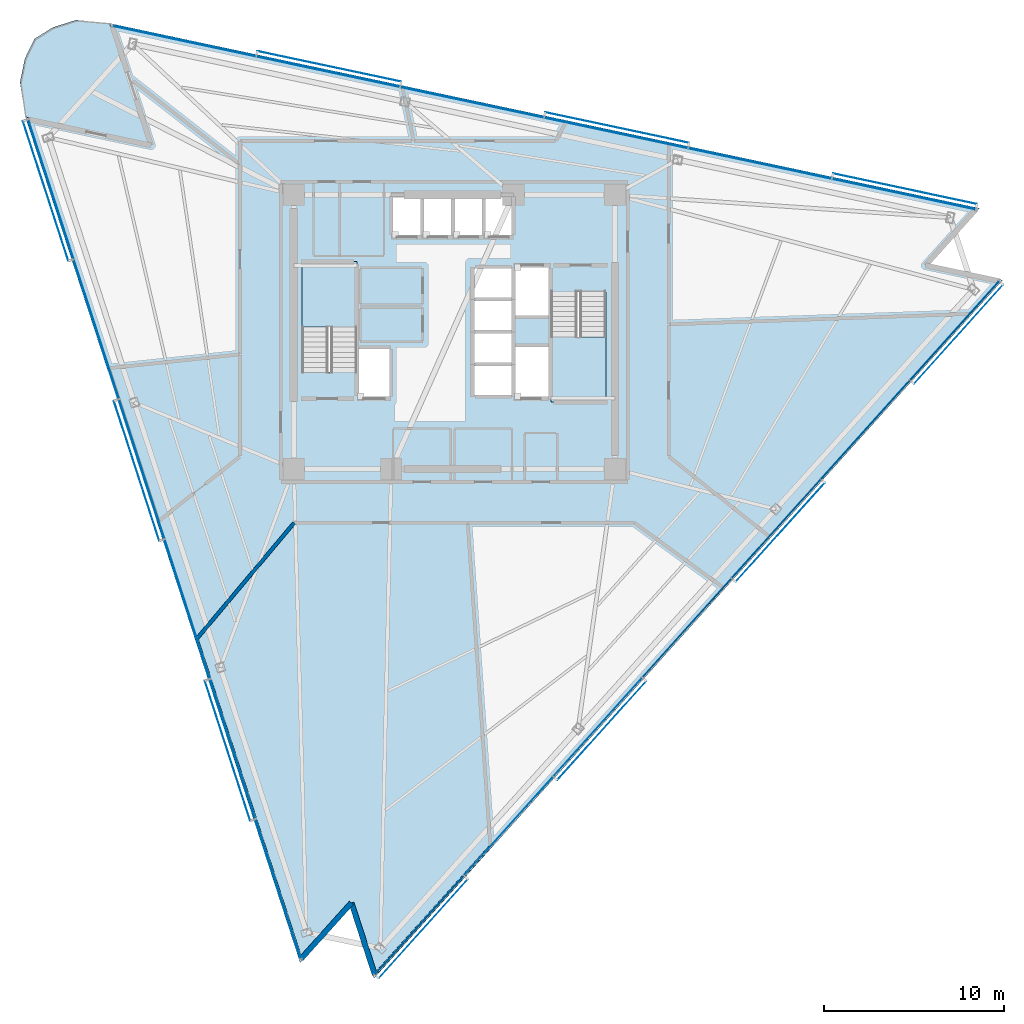
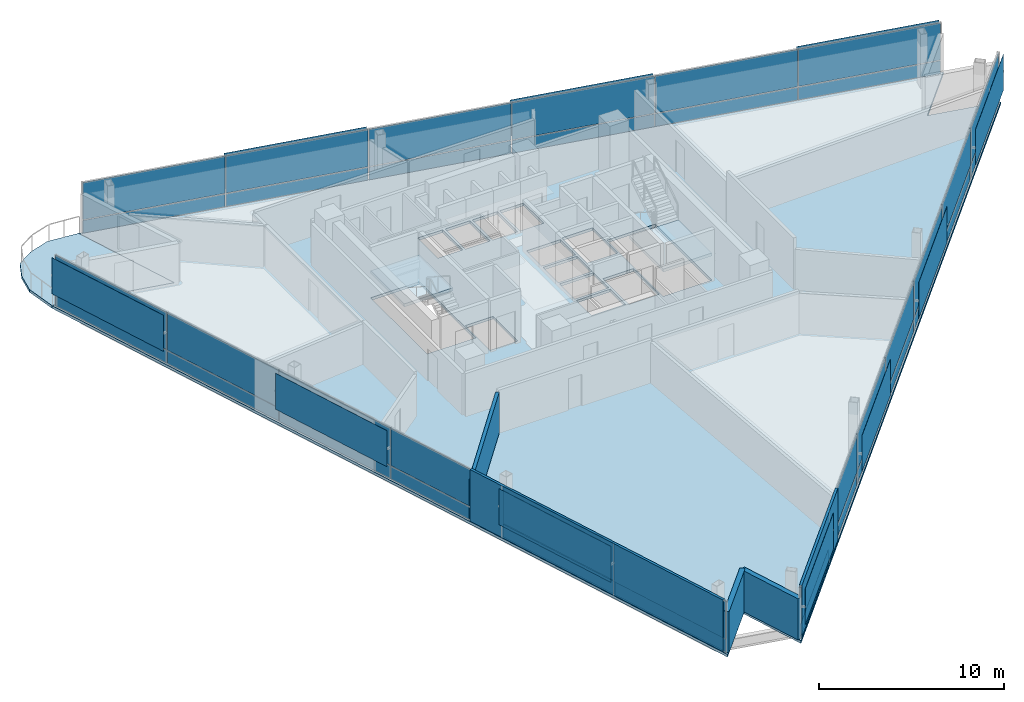
# One storey, part 9 of 17: 48 plates, 5 walls, 4 slabs, 5 elements without a shape of their own.
"""IFC4 building model written with IfcOpenShell, lengths in metres."""

from ifc_helpers import new_model, si_unit, direction, frame, frame_2d, origin, origin_2d, place, context, subcontext, project, spatial, polyline, rectangle, outline, extrude, material, layer, layer_set, type_object, element, aggregate, save


model = new_model("IFC4")

# Units and contexts
model_context = context("Model", 3, precision=1e-05, world=origin(), true_north=direction((0.0, 1.0)))
body_context = subcontext(model_context, "Body", "Model", "MODEL_VIEW")
ifc_project = project(units=[si_unit("LENGTHUNIT", "METRE"), si_unit("AREAUNIT", "SQUARE_METRE"), si_unit("VOLUMEUNIT", "CUBIC_METRE"), si_unit("PLANEANGLEUNIT", "RADIAN"), si_unit("MASSUNIT", "GRAM", prefix="KILO")], contexts=[model_context])

# Site, building, storey
site_placement = place(None, origin())
site = spatial("IfcSite", under=ifc_project, at=site_placement, CompositionType="ELEMENT")
building_placement = place(site_placement, origin())
building = spatial("IfcBuilding", under=site, at=building_placement, Name="Tharavind Bronze Gate", CompositionType="ELEMENT")
storey_placement = place(building_placement, frame((0.0, 0.0, 204.050048828125)))
storey = spatial("IfcBuildingStorey", under=building, at=storey_placement, Name="L52", CompositionType="ELEMENT", Elevation=204.050048828125)

# Plates
ifc_material_1 = material(Name="Perforated Bronze Alloy", Category="bronze")
ifc_layer_1 = layer(ifc_material_1, 0.011962890625)
ifc_layer_set_1 = layer_set([ifc_layer_1], Name="Perforated Bronze Alloy")
plate_type_1 = type_object("IfcPlateType", Name="BRONZE PERFORATED SOLAR SCREEN", PredefinedType="USERDEFINED", material=ifc_layer_set_1)
for number, where, z_axis, x_axis, name in (
    (1, (-22.650634765625, 7.81103515625, 0.96630859375), (0.0, 0.0, 1.0), (0.309016994375, -0.951056516295, 0.0), "CW-L52-S1 perforated bronze solar screen 1"),
    (2, (-17.610107421875, -7.701904296875, 0.96630859375), (0.0, 0.0, 1.0), (0.309016994375, -0.951056516295, 0.0), "CW-L52-S1 perforated bronze solar screen 3"),
    (3, (-12.569580078125, -23.215087890625, 0.96630859375), (0.0, 0.0, 1.0), (0.309016994375, -0.951056516295, 0.0), "CW-L52-S1 perforated bronze solar screen 5"),
):
    element("IfcPlate", number, at=place(storey_placement, frame(where, z_axis=z_axis, x_axis=x_axis)), inside=storey, type_object=plate_type_1, Name=name, ObjectType="SCREEN", PredefinedType="USERDEFINED", context=body_context, shape_type="SweptSolid", body=[
        extrude(rectangle(XDim=8.1357421875, YDim=0.011962890625, at=origin_2d()), origin(), (0.0, 0.0, 1.0), 2.386962890625),
    ])
for number, where, z_axis, x_axis, name in (
    (4, (-1.720703125, -33.081298828125, 0.96630859375), (0.0, 0.0, 1.0), (0.669130606359, 0.743144825477, 0.0), "CW-L52-S2 perforated bronze solar screen 1"),
    (5, (8.168212890625, -22.098388671875, 0.96630859375), (0.0, 0.0, 1.0), (0.669130606359, 0.743144825477, 0.0), "CW-L52-S2 perforated bronze solar screen 3"),
    (6, (18.057373046875, -11.115478515625, 0.96630859375), (0.0, 0.0, 1.0), (0.669130606359, 0.743144825477, 0.0), "CW-L52-S2 perforated bronze solar screen 5"),
    (7, (27.9462890625, -0.132568359375, 0.96630859375), (0.0, 0.0, 1.0), (0.669130606359, 0.743144825477, 0.0), "CW-L52-S2 perforated bronze solar screen 7"),
):
    element("IfcPlate", number, at=place(storey_placement, frame(where, z_axis=z_axis, x_axis=x_axis)), inside=storey, type_object=plate_type_1, Name=name, ObjectType="SCREEN", PredefinedType="USERDEFINED", context=body_context, shape_type="SweptSolid", body=[
        extrude(rectangle(XDim=7.369384765625, YDim=0.011962890625, at=origin_2d()), origin(), (0.0, 0.0, 1.0), 2.386962890625),
    ])
for number, where, z_axis, x_axis, name in (
    (8, (24.977783203125, 7.929931640625, 0.96630859375), (0.0, 0.0, 1.0), (-0.978147600734, 0.207911690818, 0.0), "CW-L52-S3 perforated bronze solar screen 1"),
    (9, (9.022705078125, 11.3212890625, 0.96630859375), (0.0, 0.0, 1.0), (-0.978147600734, 0.207911690818, 0.0), "CW-L52-S3 perforated bronze solar screen 3"),
    (10, (-6.93212890625, 14.712646484375, 0.96630859375), (0.0, 0.0, 1.0), (-0.978147600734, 0.207911690818, 0.0), "CW-L52-S3 perforated bronze solar screen 5"),
):
    element("IfcPlate", number, at=place(storey_placement, frame(where, z_axis=z_axis, x_axis=x_axis)), inside=storey, type_object=plate_type_1, Name=name, ObjectType="SCREEN", PredefinedType="USERDEFINED", context=body_context, shape_type="SweptSolid", body=[
        extrude(rectangle(XDim=8.1357421875, YDim=0.011962890625, at=origin_2d()), origin(), (0.0, 0.0, 1.0), 2.386962890625),
    ])

# Curtain wall, plates
ifc_material_2 = material(Name="Anodised Bronze Aluminium", Category="aluminium")
ifc_layer_2 = layer(ifc_material_2, 0.219970703125)
ifc_layer_set_2 = layer_set([ifc_layer_2], Name="Anodised Bronze Aluminium")
curtain_wall_type = type_object("IfcCurtainWallType", Name="UNITISED CURTAIN WALL MID OFFICE", PredefinedType="USERDEFINED", material=ifc_layer_set_2)
curtain_wall_1_placement = place(storey_placement, origin())
curtain_wall_1 = element("IfcCurtainWall", 11, at=curtain_wall_1_placement, inside=storey, type_object=curtain_wall_type, Name="L52 unitised curtain wall mid office CW-L52-S1", ObjectType="UNITISED CURTAIN WALL", PredefinedType="USERDEFINED")
ifc_material_3 = material(Name="Patinated Bronze Alloy Sheet", Category="bronze")
ifc_layer_3 = layer(ifc_material_3, 0.01611328125)
ifc_layer_set_3 = layer_set([ifc_layer_3], Name="Patinated Bronze Alloy Sheet")
plate_type_2 = type_object("IfcPlateType", Name="BRONZE SPANDREL CLADDING PANEL 16", PredefinedType="CURTAIN_PANEL", material=ifc_layer_set_3)
plate_1_placement = place(storey_placement, frame((-22.3701171875, 7.902099609375, 0.0263671875), z_axis=(0.0, 0.0, 1.0), x_axis=(0.309016994375, -0.951056516295, 0.0)))
plate_1 = element("IfcPlate", 12, at=plate_1_placement, type_object=plate_type_2, Name="CW-L52-S1 bronze spandrel panel 1", PredefinedType="CURTAIN_PANEL", context=body_context, shape_type="SweptSolid", body=[
    extrude(rectangle(XDim=8.102783203125, YDim=0.01611328125, at=origin_2d()), origin(), (0.0, 0.0, 1.0), 0.846923828125),
])
plate_2_placement = place(storey_placement, frame((-19.849853515625, 0.145751953125, 0.0263671875), z_axis=(0.0, 0.0, 1.0), x_axis=(0.309016994375, -0.951056516295, 0.0)))
plate_2 = element("IfcPlate", 13, at=plate_2_placement, type_object=plate_type_2, Name="CW-L52-S1 bronze spandrel panel 2", PredefinedType="CURTAIN_PANEL", context=body_context, shape_type="SweptSolid", body=[
    extrude(rectangle(XDim=8.102783203125, YDim=0.01611328125, at=origin_2d()), origin(), (0.0, 0.0, 1.0), 0.846923828125),
])
plate_3_placement = place(storey_placement, frame((-17.32958984375, -7.61083984375, 0.0263671875), z_axis=(0.0, 0.0, 1.0), x_axis=(0.309016994375, -0.951056516295, 0.0)))
plate_3 = element("IfcPlate", 14, at=plate_3_placement, type_object=plate_type_2, Name="CW-L52-S1 bronze spandrel panel 3", PredefinedType="CURTAIN_PANEL", context=body_context, shape_type="SweptSolid", body=[
    extrude(rectangle(XDim=8.102783203125, YDim=0.01611328125, at=origin_2d()), origin(), (0.0, 0.0, 1.0), 0.846923828125),
])
plate_4_placement = place(storey_placement, frame((-14.809326171875, -15.367431640625, 0.0263671875), z_axis=(0.0, 0.0, 1.0), x_axis=(0.309016994375, -0.951056516295, 0.0)))
plate_4 = element("IfcPlate", 15, at=plate_4_placement, type_object=plate_type_2, Name="CW-L52-S1 bronze spandrel panel 4", PredefinedType="CURTAIN_PANEL", context=body_context, shape_type="SweptSolid", body=[
    extrude(rectangle(XDim=8.102783203125, YDim=0.01611328125, at=origin_2d()), origin(), (0.0, 0.0, 1.0), 0.846923828125),
])
plate_5_placement = place(storey_placement, frame((-12.2890625, -23.123779296875, 0.0263671875), z_axis=(0.0, 0.0, 1.0), x_axis=(0.309016994375, -0.951056516295, 0.0)))
plate_5 = element("IfcPlate", 16, at=plate_5_placement, type_object=plate_type_2, Name="CW-L52-S1 bronze spandrel panel 5", PredefinedType="CURTAIN_PANEL", context=body_context, shape_type="SweptSolid", body=[
    extrude(rectangle(XDim=8.102783203125, YDim=0.01611328125, at=origin_2d()), origin(), (0.0, 0.0, 1.0), 0.846923828125),
])
plate_6_placement = place(storey_placement, frame((-9.768798828125, -30.88037109375, 0.0263671875), z_axis=(0.0, 0.0, 1.0), x_axis=(0.309016994375, -0.951056516295, 0.0)))
plate_6 = element("IfcPlate", 17, at=plate_6_placement, type_object=plate_type_2, Name="CW-L52-S1 bronze spandrel panel 6", PredefinedType="CURTAIN_PANEL", context=body_context, shape_type="SweptSolid", body=[
    extrude(rectangle(XDim=8.102783203125, YDim=0.01611328125, at=origin_2d()), origin(), (0.0, 0.0, 1.0), 0.846923828125),
])

curtain_wall_2_placement = place(storey_placement, origin())
curtain_wall_2 = element("IfcCurtainWall", 18, at=curtain_wall_2_placement, inside=storey, type_object=curtain_wall_type, Name="L52 unitised curtain wall mid office CW-L52-S2", ObjectType="UNITISED CURTAIN WALL", PredefinedType="USERDEFINED")
plate_7_placement = place(storey_placement, frame((-1.93994140625, -32.8837890625, 0.0263671875), z_axis=(0.0, 0.0, 1.0), x_axis=(0.669130606359, 0.743144825477, 0.0)))
plate_7 = element("IfcPlate", 19, at=plate_7_placement, type_object=plate_type_2, Name="CW-L52-S2 bronze spandrel panel 1", PredefinedType="CURTAIN_PANEL", context=body_context, shape_type="SweptSolid", body=[
    extrude(rectangle(XDim=7.33642578125, YDim=0.01611328125, at=origin_2d()), origin(), (0.0, 0.0, 1.0), 0.846923828125),
])
plate_8_placement = place(storey_placement, frame((3.004638671875, -27.392333984375, 0.0263671875), z_axis=(0.0, 0.0, 1.0), x_axis=(0.669130606359, 0.743144825477, 0.0)))
plate_8 = element("IfcPlate", 20, at=plate_8_placement, type_object=plate_type_2, Name="CW-L52-S2 bronze spandrel panel 2", PredefinedType="CURTAIN_PANEL", context=body_context, shape_type="SweptSolid", body=[
    extrude(rectangle(XDim=7.33642578125, YDim=0.01611328125, at=origin_2d()), origin(), (0.0, 0.0, 1.0), 0.846923828125),
])
plate_9_placement = place(storey_placement, frame((7.94921875, -21.90087890625, 0.0263671875), z_axis=(0.0, 0.0, 1.0), x_axis=(0.669130606359, 0.743144825477, 0.0)))
plate_9 = element("IfcPlate", 21, at=plate_9_placement, type_object=plate_type_2, Name="CW-L52-S2 bronze spandrel panel 3", PredefinedType="CURTAIN_PANEL", context=body_context, shape_type="SweptSolid", body=[
    extrude(rectangle(XDim=7.33642578125, YDim=0.01611328125, at=origin_2d()), origin(), (0.0, 0.0, 1.0), 0.846923828125),
])
plate_10_placement = place(storey_placement, frame((12.8935546875, -16.409423828125, 0.0263671875), z_axis=(0.0, 0.0, 1.0), x_axis=(0.669130606359, 0.743144825477, 0.0)))
plate_10 = element("IfcPlate", 22, at=plate_10_placement, type_object=plate_type_2, Name="CW-L52-S2 bronze spandrel panel 4", PredefinedType="CURTAIN_PANEL", context=body_context, shape_type="SweptSolid", body=[
    extrude(rectangle(XDim=7.33642578125, YDim=0.01611328125, at=origin_2d()), origin(), (0.0, 0.0, 1.0), 0.846923828125),
])
plate_11_placement = place(storey_placement, frame((17.838134765625, -10.91796875, 0.0263671875), z_axis=(0.0, 0.0, 1.0), x_axis=(0.669130606359, 0.743144825477, 0.0)))
plate_11 = element("IfcPlate", 23, at=plate_11_placement, type_object=plate_type_2, Name="CW-L52-S2 bronze spandrel panel 5", PredefinedType="CURTAIN_PANEL", context=body_context, shape_type="SweptSolid", body=[
    extrude(rectangle(XDim=7.33642578125, YDim=0.01611328125, at=origin_2d()), origin(), (0.0, 0.0, 1.0), 0.846923828125),
])
plate_12_placement = place(storey_placement, frame((22.78271484375, -5.426513671875, 0.0263671875), z_axis=(0.0, 0.0, 1.0), x_axis=(0.669130606359, 0.743144825477, 0.0)))
plate_12 = element("IfcPlate", 24, at=plate_12_placement, type_object=plate_type_2, Name="CW-L52-S2 bronze spandrel panel 6", PredefinedType="CURTAIN_PANEL", context=body_context, shape_type="SweptSolid", body=[
    extrude(rectangle(XDim=7.33642578125, YDim=0.01611328125, at=origin_2d()), origin(), (0.0, 0.0, 1.0), 0.846923828125),
])
plate_13_placement = place(storey_placement, frame((27.72705078125, 0.06494140625, 0.0263671875), z_axis=(0.0, 0.0, 1.0), x_axis=(0.669130606359, 0.743144825477, 0.0)))
plate_13 = element("IfcPlate", 25, at=plate_13_placement, type_object=plate_type_2, Name="CW-L52-S2 bronze spandrel panel 7", PredefinedType="CURTAIN_PANEL", context=body_context, shape_type="SweptSolid", body=[
    extrude(rectangle(XDim=7.33642578125, YDim=0.01611328125, at=origin_2d()), origin(), (0.0, 0.0, 1.0), 0.846923828125),
])

curtain_wall_3_placement = place(storey_placement, origin())
curtain_wall_3 = element("IfcCurtainWall", 26, at=curtain_wall_3_placement, inside=storey, type_object=curtain_wall_type, Name="L52 unitised curtain wall mid office CW-L52-S3", ObjectType="UNITISED CURTAIN WALL", PredefinedType="USERDEFINED")
plate_14_placement = place(storey_placement, frame((24.91650390625, 7.641357421875, 0.0263671875), z_axis=(0.0, 0.0, 1.0), x_axis=(-0.978147600734, 0.207911690818, 0.0)))
plate_14 = element("IfcPlate", 27, at=plate_14_placement, type_object=plate_type_2, Name="CW-L52-S3 bronze spandrel panel 1", PredefinedType="CURTAIN_PANEL", context=body_context, shape_type="SweptSolid", body=[
    extrude(rectangle(XDim=8.102783203125, YDim=0.01611328125, at=origin_2d()), origin(), (0.0, 0.0, 1.0), 0.846923828125),
])
plate_15_placement = place(storey_placement, frame((16.93896484375, 9.337158203125, 0.0263671875), z_axis=(0.0, 0.0, 1.0), x_axis=(-0.978147600734, 0.207911690818, 0.0)))
plate_15 = element("IfcPlate", 28, at=plate_15_placement, type_object=plate_type_2, Name="CW-L52-S3 bronze spandrel panel 2", PredefinedType="CURTAIN_PANEL", context=body_context, shape_type="SweptSolid", body=[
    extrude(rectangle(XDim=8.102783203125, YDim=0.01611328125, at=origin_2d()), origin(), (0.0, 0.0, 1.0), 0.846923828125),
])
plate_16_placement = place(storey_placement, frame((8.96142578125, 11.03271484375, 0.0263671875), z_axis=(0.0, 0.0, 1.0), x_axis=(-0.978147600734, 0.207911690818, 0.0)))
plate_16 = element("IfcPlate", 29, at=plate_16_placement, type_object=plate_type_2, Name="CW-L52-S3 bronze spandrel panel 3", PredefinedType="CURTAIN_PANEL", context=body_context, shape_type="SweptSolid", body=[
    extrude(rectangle(XDim=8.102783203125, YDim=0.01611328125, at=origin_2d()), origin(), (0.0, 0.0, 1.0), 0.846923828125),
])
plate_17_placement = place(storey_placement, frame((0.98388671875, 12.728515625, 0.0263671875), z_axis=(0.0, 0.0, 1.0), x_axis=(-0.978147600734, 0.207911690818, 0.0)))
plate_17 = element("IfcPlate", 30, at=plate_17_placement, type_object=plate_type_2, Name="CW-L52-S3 bronze spandrel panel 4", PredefinedType="CURTAIN_PANEL", context=body_context, shape_type="SweptSolid", body=[
    extrude(rectangle(XDim=8.102783203125, YDim=0.01611328125, at=origin_2d()), origin(), (0.0, 0.0, 1.0), 0.846923828125),
])
plate_18_placement = place(storey_placement, frame((-6.993408203125, 14.424072265625, 0.0263671875), z_axis=(0.0, 0.0, 1.0), x_axis=(-0.978147600734, 0.207911690818, 0.0)))
plate_18 = element("IfcPlate", 31, at=plate_18_placement, type_object=plate_type_2, Name="CW-L52-S3 bronze spandrel panel 5", PredefinedType="CURTAIN_PANEL", context=body_context, shape_type="SweptSolid", body=[
    extrude(rectangle(XDim=8.102783203125, YDim=0.01611328125, at=origin_2d()), origin(), (0.0, 0.0, 1.0), 0.846923828125),
])
plate_19_placement = place(storey_placement, frame((-14.970947265625, 16.119873046875, 0.0263671875), z_axis=(0.0, 0.0, 1.0), x_axis=(-0.978147600734, 0.207911690818, 0.0)))
plate_19 = element("IfcPlate", 32, at=plate_19_placement, type_object=plate_type_2, Name="CW-L52-S3 bronze spandrel panel 6", PredefinedType="CURTAIN_PANEL", context=body_context, shape_type="SweptSolid", body=[
    extrude(rectangle(XDim=8.102783203125, YDim=0.01611328125, at=origin_2d()), origin(), (0.0, 0.0, 1.0), 0.846923828125),
])

# Slab
ifc_material_4 = material(Name="Concrete C40/50", Category="concrete")
ifc_layer_4 = layer(ifc_material_4, 0.179931640625)
ifc_layer_set_4 = layer_set([ifc_layer_4], Name="Concrete C40/50")
slab_type_1 = type_object("IfcSlabType", Name="EXTERIOR BALCONY SLAB 180", PredefinedType="FLOOR", material=ifc_layer_set_4)
slab_1_placement = place(storey_placement, frame((0.0, 0.0, -0.179931640625)))
element("IfcSlab", 33, at=slab_1_placement, inside=storey, type_object=slab_type_1, Name="L52 northeast tree balcony slab", PredefinedType="FLOOR", context=body_context, shape_type="SweptSolid", body=[
    extrude(outline(polyline([(-20.960693359375, 17.28564453125), (-22.246337890625, 16.877685546875), (-23.275634765625, 16.239013671875), (-23.80322265625, 15.148681640625), (-24.074462890625, 13.82763671875), (-23.77880859375, 11.914306640625), (-16.951416015625, 10.463134765625), (-19.1083984375, 17.101318359375), (-20.960693359375, 17.28564453125)])), origin(), (0.0, 0.0, 1.0), 0.179931640625),
])

# Stair, slab
stair_type = type_object("IfcStairType", Name="CORE HALF TURN STAIR 1450", PredefinedType="HALF_TURN_STAIR", material=ifc_material_4)
stair_1_placement = place(storey_placement, origin())
stair_1 = element("IfcStair", 34, at=stair_1_placement, inside=storey, type_object=stair_type, Name="L52 Protected Exit Stair ST1", PredefinedType="HALF_TURN_STAIR")
ifc_layer_5 = layer(ifc_material_4, 0.199951171875)
ifc_layer_set_5 = layer_set([ifc_layer_5], Name="Concrete C40/50")
slab_type_2 = type_object("IfcSlabType", Name="STAIR LANDING SLAB 200", PredefinedType="LANDING", material=ifc_layer_set_5)
slab_2_placement = place(storey_placement, frame((0.0, 0.0, 1.599853515625)))
slab_2 = element("IfcSlab", 35, at=slab_2_placement, type_object=slab_type_2, Name="ST1 landing 1", PredefinedType="LANDING", context=body_context, shape_type="SweptSolid", body=[
    extrude(outline(polyline([(-5.39990234375, 0.27001953125), (-5.39990234375, 3.89990234375), (-8.449951171875, 3.89990234375), (-8.449951171875, 0.27001953125), (-5.39990234375, 0.27001953125)])), origin(), (0.0, 0.0, 1.0), 0.2001953125),
])
aggregate(stair_1, [slab_2])

stair_2_placement = place(storey_placement, origin())
stair_2 = element("IfcStair", 36, at=stair_2_placement, inside=storey, type_object=stair_type, Name="L52 Protected Exit Stair ST2", PredefinedType="HALF_TURN_STAIR")
slab_3_placement = place(storey_placement, frame((0.0, 0.0, 1.599853515625)))
slab_3 = element("IfcSlab", 37, at=slab_3_placement, type_object=slab_type_2, Name="ST2 landing 1", PredefinedType="LANDING", context=body_context, shape_type="SweptSolid", body=[
    extrude(outline(polyline([(5.35009765625, -0.27001953125), (5.35009765625, -3.89990234375), (8.39990234375, -3.89990234375), (8.39990234375, -0.27001953125), (5.35009765625, -0.27001953125)])), origin(), (0.0, 0.0, 1.0), 0.2001953125),
])
aggregate(stair_2, [slab_3])

# Slab
ifc_layer_6 = layer(ifc_material_4, 0.179931640625)
ifc_layer_set_6 = layer_set([ifc_layer_6], Name="Concrete C40/50")
slab_type_3 = type_object("IfcSlabType", Name="STRUCTURAL FLOOR SLAB 180", PredefinedType="FLOOR", material=ifc_layer_set_6)
slab_4_placement = place(storey_placement, frame((0.0, 0.0, -0.179931640625)))
element("IfcSlab", 38, at=slab_4_placement, inside=storey, type_object=slab_type_3, Name="L52 main structural floor slab", PredefinedType="FLOOR", context=body_context, shape_type="SweptSolid", body=[
    extrude(outline(polyline([(-19.1083984375, 17.101318359375), (-16.951416015625, 10.463134765625), (-23.77880859375, 11.914306640625), (-8.55029296875, -34.954345703125), (-5.748046875, -31.842041015625), (-4.453857421875, -35.8251953125), (30.3896484375, 2.872314453125), (26.293212890625, 3.7431640625), (29.095458984375, 6.85546875), (-19.1083984375, 17.101318359375)]), holes=[polyline([(-5.39990234375, -2.215087890625), (-5.39990234375, 3.89990234375), (-8.449951171875, 3.89990234375), (-8.449951171875, -2.215087890625), (-5.39990234375, -2.215087890625)]), polyline([(5.35009765625, 2.215087890625), (5.35009765625, -3.89990234375), (8.39990234375, -3.89990234375), (8.39990234375, 2.215087890625), (5.35009765625, 2.215087890625)]), polyline([(-3.419921875, 5.330078125), (-1.867431640625, 5.330078125), (-1.867431640625, 7.52001953125), (-3.419921875, 7.52001953125), (-3.419921875, 5.330078125)]), polyline([(-1.70751953125, 5.330078125), (-0.155029296875, 5.330078125), (-0.155029296875, 7.52001953125), (-1.70751953125, 7.52001953125), (-1.70751953125, 5.330078125)]), polyline([(0.0048828125, 5.330078125), (1.5576171875, 5.330078125), (1.5576171875, 7.52001953125), (0.0048828125, 7.52001953125), (0.0048828125, 5.330078125)]), polyline([(1.717529296875, 5.330078125), (3.199951171875, 5.330078125), (3.199951171875, 7.52001953125), (1.717529296875, 7.52001953125), (1.717529296875, 5.330078125)]), polyline([(1.080078125, -3.52001953125), (3.199951171875, -3.52001953125), (3.199951171875, -1.8798828125), (1.080078125, -1.8798828125), (1.080078125, -3.52001953125)]), polyline([(1.080078125, -1.719970703125), (3.199951171875, -1.719970703125), (3.199951171875, -0.080078125), (1.080078125, -0.080078125), (1.080078125, -1.719970703125)]), polyline([(1.080078125, 0.080078125), (3.199951171875, 0.080078125), (3.199951171875, 1.719970703125), (1.080078125, 1.719970703125), (1.080078125, 0.080078125)]), polyline([(1.080078125, 1.8798828125), (3.199951171875, 1.8798828125), (3.199951171875, 3.52001953125), (1.080078125, 3.52001953125), (1.080078125, 1.8798828125)]), polyline([(-5.320068359375, -3.6201171875), (-3.580078125, -3.6201171875), (-3.580078125, -0.929931640625), (-5.320068359375, -0.929931640625), (-5.320068359375, -3.6201171875)]), polyline([(3.360107421875, 0.8798828125), (5.27001953125, 0.8798828125), (5.27001953125, 3.6201171875), (3.360107421875, 3.6201171875), (3.360107421875, 0.8798828125)]), polyline([(3.360107421875, -3.6201171875), (5.27001953125, -3.6201171875), (5.27001953125, -0.830078125), (3.360107421875, -0.830078125), (3.360107421875, -3.6201171875)])]), origin(), (0.0, 0.0, 1.0), 0.179931640625),
])

# Plate
ifc_material_5 = material(Name="Triple Solar Control Glazing", Category="glass")
ifc_layer_7 = layer(ifc_material_5, 0.0439453125)
ifc_layer_set_7 = layer_set([ifc_layer_7], Name="Triple Solar Control Glazing")
plate_type_3 = type_object("IfcPlateType", Name="TRIPLE GLAZED FACADE PANEL 44", PredefinedType="CURTAIN_PANEL", material=ifc_layer_set_7)
plate_20_placement = place(storey_placement, frame((-22.3701171875, 7.902099609375, 0.92626953125), z_axis=(0.0, 0.0, 1.0), x_axis=(0.309016994375, -0.951056516295, 0.0)))
plate_20 = element("IfcPlate", 39, at=plate_20_placement, type_object=plate_type_3, Name="CW-L52-S1 vision glazing panel 1", PredefinedType="CURTAIN_PANEL", context=body_context, shape_type="SweptSolid", body=[
    extrude(rectangle(XDim=8.102783203125, YDim=0.0439453125, at=origin_2d()), origin(), (0.0, 0.0, 1.0), 2.467041015625),
])

plate_21_placement = place(storey_placement, frame((-19.849853515625, 0.145751953125, 0.92626953125), z_axis=(0.0, 0.0, 1.0), x_axis=(0.309016994375, -0.951056516295, 0.0)))
plate_21 = element("IfcPlate", 40, at=plate_21_placement, type_object=plate_type_3, Name="CW-L52-S1 vision glazing panel 2", PredefinedType="CURTAIN_PANEL", context=body_context, shape_type="SweptSolid", body=[
    extrude(rectangle(XDim=8.102783203125, YDim=0.0439453125, at=origin_2d()), origin(), (0.0, 0.0, 1.0), 2.467041015625),
])

plate_22_placement = place(storey_placement, frame((-17.32958984375, -7.61083984375, 0.92626953125), z_axis=(0.0, 0.0, 1.0), x_axis=(0.309016994375, -0.951056516295, 0.0)))
plate_22 = element("IfcPlate", 41, at=plate_22_placement, type_object=plate_type_3, Name="CW-L52-S1 vision glazing panel 3", PredefinedType="CURTAIN_PANEL", context=body_context, shape_type="SweptSolid", body=[
    extrude(rectangle(XDim=8.102783203125, YDim=0.0439453125, at=origin_2d()), origin(), (0.0, 0.0, 1.0), 2.467041015625),
])

plate_23_placement = place(storey_placement, frame((-14.809326171875, -15.367431640625, 0.92626953125), z_axis=(0.0, 0.0, 1.0), x_axis=(0.309016994375, -0.951056516295, 0.0)))
plate_23 = element("IfcPlate", 42, at=plate_23_placement, type_object=plate_type_3, Name="CW-L52-S1 vision glazing panel 4", PredefinedType="CURTAIN_PANEL", context=body_context, shape_type="SweptSolid", body=[
    extrude(rectangle(XDim=8.102783203125, YDim=0.0439453125, at=origin_2d()), origin(), (0.0, 0.0, 1.0), 2.467041015625),
])

plate_24_placement = place(storey_placement, frame((-12.2890625, -23.123779296875, 0.92626953125), z_axis=(0.0, 0.0, 1.0), x_axis=(0.309016994375, -0.951056516295, 0.0)))
plate_24 = element("IfcPlate", 43, at=plate_24_placement, type_object=plate_type_3, Name="CW-L52-S1 vision glazing panel 5", PredefinedType="CURTAIN_PANEL", context=body_context, shape_type="SweptSolid", body=[
    extrude(rectangle(XDim=8.102783203125, YDim=0.0439453125, at=origin_2d()), origin(), (0.0, 0.0, 1.0), 2.467041015625),
])

plate_25_placement = place(storey_placement, frame((-9.768798828125, -30.88037109375, 0.92626953125), z_axis=(0.0, 0.0, 1.0), x_axis=(0.309016994375, -0.951056516295, 0.0)))
plate_25 = element("IfcPlate", 44, at=plate_25_placement, type_object=plate_type_3, Name="CW-L52-S1 vision glazing panel 6", PredefinedType="CURTAIN_PANEL", context=body_context, shape_type="SweptSolid", body=[
    extrude(rectangle(XDim=8.102783203125, YDim=0.0439453125, at=origin_2d()), origin(), (0.0, 0.0, 1.0), 2.467041015625),
])

aggregate(curtain_wall_1, [plate_1, plate_20, plate_2, plate_21, plate_3, plate_22, plate_4, plate_23, plate_5, plate_24, plate_6, plate_25])

plate_26_placement = place(storey_placement, frame((-1.93994140625, -32.8837890625, 0.92626953125), z_axis=(0.0, 0.0, 1.0), x_axis=(0.669130606359, 0.743144825477, 0.0)))
plate_26 = element("IfcPlate", 45, at=plate_26_placement, type_object=plate_type_3, Name="CW-L52-S2 vision glazing panel 1", PredefinedType="CURTAIN_PANEL", context=body_context, shape_type="SweptSolid", body=[
    extrude(rectangle(XDim=7.33642578125, YDim=0.0439453125, at=origin_2d()), origin(), (0.0, 0.0, 1.0), 2.467041015625),
])

plate_27_placement = place(storey_placement, frame((3.004638671875, -27.392333984375, 0.92626953125), z_axis=(0.0, 0.0, 1.0), x_axis=(0.669130606359, 0.743144825477, 0.0)))
plate_27 = element("IfcPlate", 46, at=plate_27_placement, type_object=plate_type_3, Name="CW-L52-S2 vision glazing panel 2", PredefinedType="CURTAIN_PANEL", context=body_context, shape_type="SweptSolid", body=[
    extrude(rectangle(XDim=7.33642578125, YDim=0.0439453125, at=origin_2d()), origin(), (0.0, 0.0, 1.0), 2.467041015625),
])

plate_28_placement = place(storey_placement, frame((7.94921875, -21.90087890625, 0.92626953125), z_axis=(0.0, 0.0, 1.0), x_axis=(0.669130606359, 0.743144825477, 0.0)))
plate_28 = element("IfcPlate", 47, at=plate_28_placement, type_object=plate_type_3, Name="CW-L52-S2 vision glazing panel 3", PredefinedType="CURTAIN_PANEL", context=body_context, shape_type="SweptSolid", body=[
    extrude(rectangle(XDim=7.33642578125, YDim=0.0439453125, at=origin_2d()), origin(), (0.0, 0.0, 1.0), 2.467041015625),
])

plate_29_placement = place(storey_placement, frame((12.8935546875, -16.409423828125, 0.92626953125), z_axis=(0.0, 0.0, 1.0), x_axis=(0.669130606359, 0.743144825477, 0.0)))
plate_29 = element("IfcPlate", 48, at=plate_29_placement, type_object=plate_type_3, Name="CW-L52-S2 vision glazing panel 4", PredefinedType="CURTAIN_PANEL", context=body_context, shape_type="SweptSolid", body=[
    extrude(rectangle(XDim=7.33642578125, YDim=0.0439453125, at=origin_2d()), origin(), (0.0, 0.0, 1.0), 2.467041015625),
])

plate_30_placement = place(storey_placement, frame((17.838134765625, -10.91796875, 0.92626953125), z_axis=(0.0, 0.0, 1.0), x_axis=(0.669130606359, 0.743144825477, 0.0)))
plate_30 = element("IfcPlate", 49, at=plate_30_placement, type_object=plate_type_3, Name="CW-L52-S2 vision glazing panel 5", PredefinedType="CURTAIN_PANEL", context=body_context, shape_type="SweptSolid", body=[
    extrude(rectangle(XDim=7.33642578125, YDim=0.0439453125, at=origin_2d()), origin(), (0.0, 0.0, 1.0), 2.467041015625),
])

plate_31_placement = place(storey_placement, frame((22.78271484375, -5.426513671875, 0.92626953125), z_axis=(0.0, 0.0, 1.0), x_axis=(0.669130606359, 0.743144825477, 0.0)))
plate_31 = element("IfcPlate", 50, at=plate_31_placement, type_object=plate_type_3, Name="CW-L52-S2 vision glazing panel 6", PredefinedType="CURTAIN_PANEL", context=body_context, shape_type="SweptSolid", body=[
    extrude(rectangle(XDim=7.33642578125, YDim=0.0439453125, at=origin_2d()), origin(), (0.0, 0.0, 1.0), 2.467041015625),
])

plate_32_placement = place(storey_placement, frame((27.72705078125, 0.06494140625, 0.92626953125), z_axis=(0.0, 0.0, 1.0), x_axis=(0.669130606359, 0.743144825477, 0.0)))
plate_32 = element("IfcPlate", 51, at=plate_32_placement, type_object=plate_type_3, Name="CW-L52-S2 vision glazing panel 7", PredefinedType="CURTAIN_PANEL", context=body_context, shape_type="SweptSolid", body=[
    extrude(rectangle(XDim=7.33642578125, YDim=0.0439453125, at=origin_2d()), origin(), (0.0, 0.0, 1.0), 2.467041015625),
])

aggregate(curtain_wall_2, [plate_7, plate_26, plate_8, plate_27, plate_9, plate_28, plate_10, plate_29, plate_11, plate_30, plate_12, plate_31, plate_13, plate_32])

plate_33_placement = place(storey_placement, frame((24.91650390625, 7.641357421875, 0.92626953125), z_axis=(0.0, 0.0, 1.0), x_axis=(-0.978147600734, 0.207911690818, 0.0)))
plate_33 = element("IfcPlate", 52, at=plate_33_placement, type_object=plate_type_3, Name="CW-L52-S3 vision glazing panel 1", PredefinedType="CURTAIN_PANEL", context=body_context, shape_type="SweptSolid", body=[
    extrude(rectangle(XDim=8.102783203125, YDim=0.0439453125, at=origin_2d()), origin(), (0.0, 0.0, 1.0), 2.467041015625),
])

plate_34_placement = place(storey_placement, frame((16.93896484375, 9.337158203125, 0.92626953125), z_axis=(0.0, 0.0, 1.0), x_axis=(-0.978147600734, 0.207911690818, 0.0)))
plate_34 = element("IfcPlate", 53, at=plate_34_placement, type_object=plate_type_3, Name="CW-L52-S3 vision glazing panel 2", PredefinedType="CURTAIN_PANEL", context=body_context, shape_type="SweptSolid", body=[
    extrude(rectangle(XDim=8.102783203125, YDim=0.0439453125, at=origin_2d()), origin(), (0.0, 0.0, 1.0), 2.467041015625),
])

plate_35_placement = place(storey_placement, frame((8.96142578125, 11.03271484375, 0.92626953125), z_axis=(0.0, 0.0, 1.0), x_axis=(-0.978147600734, 0.207911690818, 0.0)))
plate_35 = element("IfcPlate", 54, at=plate_35_placement, type_object=plate_type_3, Name="CW-L52-S3 vision glazing panel 3", PredefinedType="CURTAIN_PANEL", context=body_context, shape_type="SweptSolid", body=[
    extrude(rectangle(XDim=8.102783203125, YDim=0.0439453125, at=origin_2d()), origin(), (0.0, 0.0, 1.0), 2.467041015625),
])

plate_36_placement = place(storey_placement, frame((0.98388671875, 12.728515625, 0.92626953125), z_axis=(0.0, 0.0, 1.0), x_axis=(-0.978147600734, 0.207911690818, 0.0)))
plate_36 = element("IfcPlate", 55, at=plate_36_placement, type_object=plate_type_3, Name="CW-L52-S3 vision glazing panel 4", PredefinedType="CURTAIN_PANEL", context=body_context, shape_type="SweptSolid", body=[
    extrude(rectangle(XDim=8.102783203125, YDim=0.0439453125, at=origin_2d()), origin(), (0.0, 0.0, 1.0), 2.467041015625),
])

plate_37_placement = place(storey_placement, frame((-6.993408203125, 14.424072265625, 0.92626953125), z_axis=(0.0, 0.0, 1.0), x_axis=(-0.978147600734, 0.207911690818, 0.0)))
plate_37 = element("IfcPlate", 56, at=plate_37_placement, type_object=plate_type_3, Name="CW-L52-S3 vision glazing panel 5", PredefinedType="CURTAIN_PANEL", context=body_context, shape_type="SweptSolid", body=[
    extrude(rectangle(XDim=8.102783203125, YDim=0.0439453125, at=origin_2d()), origin(), (0.0, 0.0, 1.0), 2.467041015625),
])

plate_38_placement = place(storey_placement, frame((-14.970947265625, 16.119873046875, 0.92626953125), z_axis=(0.0, 0.0, 1.0), x_axis=(-0.978147600734, 0.207911690818, 0.0)))
plate_38 = element("IfcPlate", 57, at=plate_38_placement, type_object=plate_type_3, Name="CW-L52-S3 vision glazing panel 6", PredefinedType="CURTAIN_PANEL", context=body_context, shape_type="SweptSolid", body=[
    extrude(rectangle(XDim=8.102783203125, YDim=0.0439453125, at=origin_2d()), origin(), (0.0, 0.0, 1.0), 2.467041015625),
])

aggregate(curtain_wall_3, [plate_14, plate_33, plate_15, plate_34, plate_16, plate_35, plate_17, plate_36, plate_18, plate_37, plate_19, plate_38])

# Walls
ifc_layer_8 = layer(ifc_material_4, 0.300048828125)
ifc_layer_set_8 = layer_set([ifc_layer_8], Name="Concrete C40/50")
wall_type_1 = type_object("IfcWallType", Name="EXTERIOR SPANDREL WALL 300", PredefinedType="STANDARD", material=ifc_layer_set_8)
wall_1_placement = place(storey_placement, frame((-8.5087890625, -34.7587890625, 0.0), z_axis=(0.0, 0.0, 1.0), x_axis=(0.669151507466, 0.743126005504, 0.0)))
element("IfcWall", 58, at=wall_1_placement, inside=storey, type_object=wall_type_1, Name="L52 notch cheek wall 2A", PredefinedType="STANDARD", context=body_context, shape_type="SweptSolid", body=[
    extrude(rectangle(XDim=4.188232421875, YDim=0.300048828125, at=frame_2d((2.09423828125, 0.0))), origin(), (0.0, 0.0, 1.0), 2.71484375),
])
wall_2_placement = place(storey_placement, frame((-5.706298828125, -31.646484375, 0.0), z_axis=(0.0, 0.0, 1.0), x_axis=(0.309030708092, -0.951052060329, 0.0)))
element("IfcWall", 59, at=wall_2_placement, inside=storey, type_object=wall_type_1, Name="L52 notch cheek wall 2B", PredefinedType="STANDARD", context=body_context, shape_type="SweptSolid", body=[
    extrude(rectangle(XDim=4.18798828125, YDim=0.300048828125, at=frame_2d((2.093994140625, 0.0))), origin(), (0.0, 0.0, 1.0), 2.71484375),
])
ifc_material_6 = material(Name="Aerated Concrete Block", Category="concrete")
ifc_layer_9 = layer(ifc_material_6, 0.199951171875)
ifc_layer_set_9 = layer_set([ifc_layer_9], Name="Aerated Concrete Block")
wall_type_2 = type_object("IfcWallType", Name="FIRE RATED PARTITION 200", PredefinedType="PARTITIONING", material=ifc_layer_set_9)
wall_3_placement = place(storey_placement, frame((-14.26611328125, -17.00146484375, 0.0), z_axis=(0.0, 0.0, 1.0), x_axis=(0.642791188124, 0.766041440439, 0.0)))
element("IfcWall", 60, at=wall_3_placement, inside=storey, type_object=wall_type_2, Name="L52 Public Restrooms Block partition", PredefinedType="PARTITIONING", context=body_context, shape_type="SweptSolid", body=[
    extrude(rectangle(XDim=8.37109375, YDim=0.199951171875, at=frame_2d((4.185546875, 0.0))), origin(), (0.0, 0.0, 1.0), 2.71484375),
])
ifc_material_7 = material(Name="Twin Stud Acoustic Gypsum", Category="gypsum")
ifc_layer_10 = layer(ifc_material_7, 0.14990234375)
ifc_layer_set_10 = layer_set([ifc_layer_10], Name="Twin Stud Acoustic Gypsum")
wall_type_3 = type_object("IfcWallType", Name="INTERIOR PARTITION WALL 150", PredefinedType="PARTITIONING", material=ifc_layer_set_10)
wall_4_placement = place(storey_placement, frame((-8.56396484375, -34.58837890625, 0.0), z_axis=(0.0, 0.0, 1.0), x_axis=(-0.30901612015, 0.951056800348, 0.0)))
element("IfcWall", 61, at=wall_4_placement, inside=storey, type_object=wall_type_3, Name="L52 Public Restrooms Block partition", PredefinedType="PARTITIONING", context=body_context, shape_type="SweptSolid", body=[
    extrude(rectangle(XDim=18.466796875, YDim=0.14990234375, at=frame_2d((9.2333984375, 0.0))), origin(), (0.0, 0.0, 1.0), 3.419921875),
])
wall_5_placement = place(storey_placement, frame((1.98681640625, -28.522705078125, 0.0), z_axis=(0.0, 0.0, 1.0), x_axis=(-0.669130009736, -0.743145362679, 0.0)))
element("IfcWall", 62, at=wall_5_placement, inside=storey, type_object=wall_type_3, Name="L52 Public Restrooms Block partition", PredefinedType="PARTITIONING", context=body_context, shape_type="SweptSolid", body=[
    extrude(rectangle(XDim=9.38427734375, YDim=0.14990234375, at=frame_2d((4.692138671875, 0.0))), origin(), (0.0, 0.0, 1.0), 3.419921875),
])

save(model, "model.ifc")
